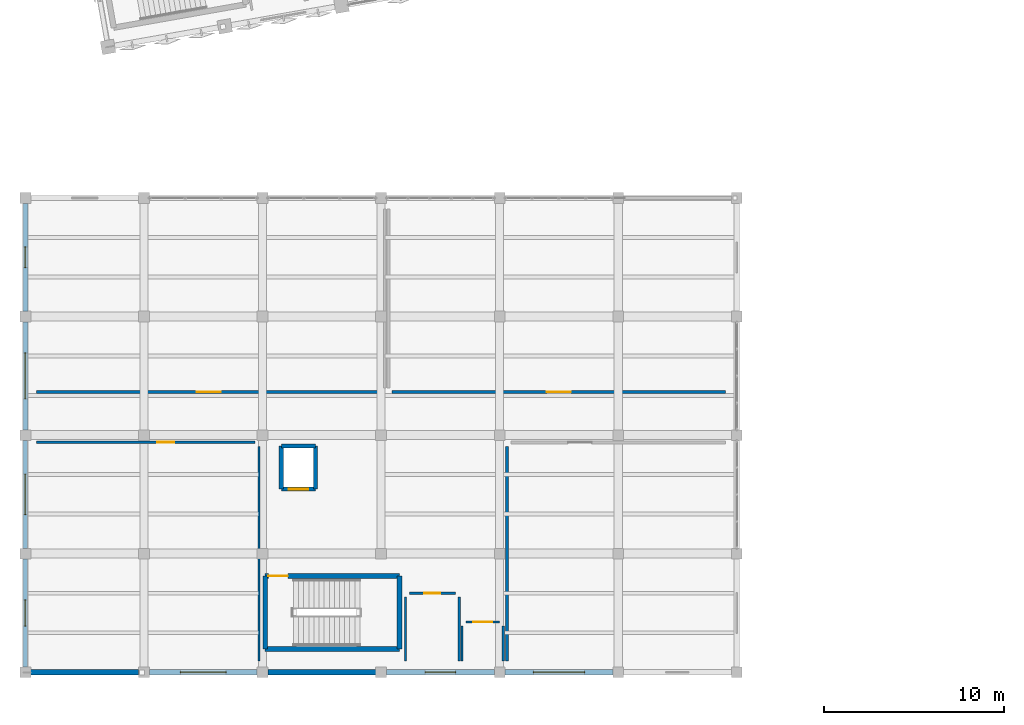
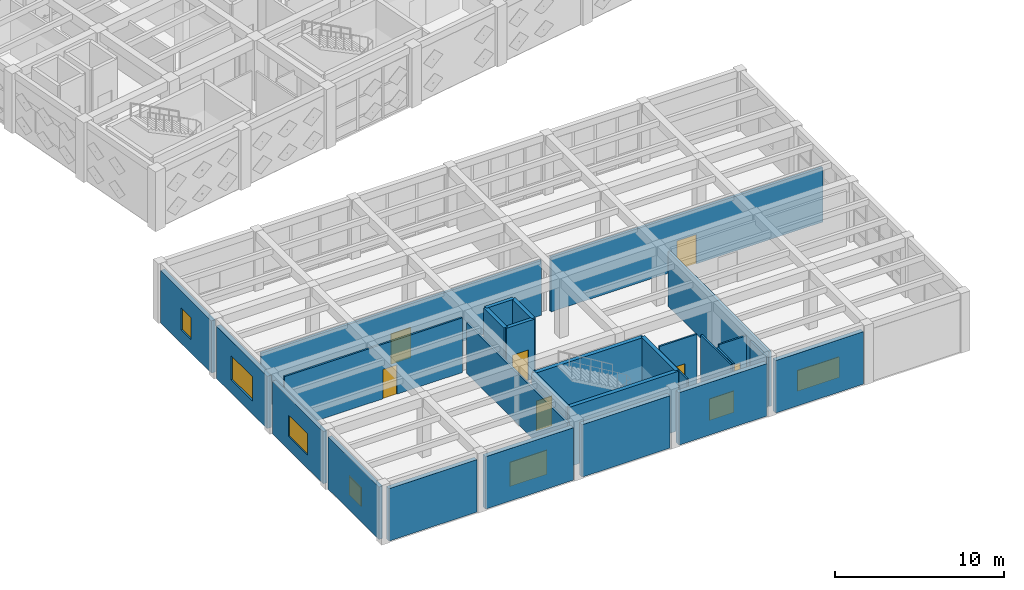
# One storey, part 65 of 80: 28 walls, 7 doors, 7 windows, 14 openings.
"""IFC4 building model written with IfcOpenShell, lengths in metres."""

from ifc_helpers import new_model, si_unit, direction, frame, frame_2d, origin, place, context, subcontext, project, spatial, rectangle, extrude, material, layer, layer_set, type_object, element, fill, save


model = new_model("IFC4")

# Units and contexts
model_context = context("Model", 3, precision=1e-05, world=origin(), true_north=direction((0.0, 1.0)))
body_context = subcontext(model_context, "Body", "Model", "MODEL_VIEW")
ifc_project = project(units=[si_unit("LENGTHUNIT", "METRE"), si_unit("AREAUNIT", "SQUARE_METRE"), si_unit("VOLUMEUNIT", "CUBIC_METRE"), si_unit("PLANEANGLEUNIT", "RADIAN"), si_unit("MASSUNIT", "GRAM", prefix="KILO")], contexts=[model_context])

# Site, building, storey
site_placement = place(None, origin())
site = spatial("IfcSite", under=ifc_project, at=site_placement, CompositionType="ELEMENT")
building_placement = place(site_placement, origin())
building = spatial("IfcBuilding", under=site, at=building_placement, Name="Kharisveld Research Institute", CompositionType="ELEMENT")
storey_placement = place(building_placement, frame((0.0, 0.0, 5.10009765625)))
storey = spatial("IfcBuildingStorey", under=building, at=storey_placement, Name="L01", CompositionType="ELEMENT", Elevation=5.10009765625)

# Wall, opening, door
ifc_material_1 = material(Name="Flush Pharmaceutical Panel", Category="mineral")
ifc_layer_1 = layer(ifc_material_1, 0.155029296875)
ifc_layer_set_1 = layer_set([ifc_layer_1], Name="WL_CLN_155")
wall_type_1 = type_object("IfcWallType", Name="WL_CLN_155", PredefinedType="PARTITIONING", material=ifc_layer_set_1)
wall_1_placement = place(storey_placement, frame((1.219970703125, 15.800048828125, 0.0), z_axis=(0.0, 0.0, 1.0), x_axis=(1.0, 0.0, 0.0)))
wall_1 = element("IfcWall", 1, at=wall_1_placement, inside=storey, type_object=wall_type_1, Name="WL:RM:V3:L01:CR7:S", PredefinedType="PARTITIONING", context=body_context, shape_type="SweptSolid", body=[
    extrude(rectangle(XDim=19.159912109375, YDim=0.155029296875, at=frame_2d((9.580078125, 0.0))), origin(), (0.0, 0.0, 1.0), 3.949951171875),
])
opening_1_placement = place(wall_1_placement, frame((8.909912109375, 0.0, 0.0)))
opening_1 = element("IfcOpeningElement", 2, at=opening_1_placement, cuts=wall_1, Name="Opening DI-278", PredefinedType="OPENING", context=body_context, shape_type="SweptSolid", body=[
    extrude(rectangle(XDim=1.340087890625, YDim=2.199951171875, at=frame_2d((0.669921875, 1.10009765625))), frame((0.0, 0.07763671875, 0.0), z_axis=(0.0, -1.0, 0.0), x_axis=(1.0, 0.0, 0.0)), (0.0, 0.0, 1.0), 0.155029296875),
])
ifc_material_2 = material(Name="Flush Painted Hardwood and Anodised Aluminium", Category="wood")
door_type_1 = type_object("IfcDoorType", Name="DR_CLN_134", OperationType="SLIDING_TO_RIGHT", PredefinedType="DOOR", material=ifc_material_2)
door_1_placement = place(opening_1_placement, origin())
door_1 = element("IfcDoor", 3, at=door_1_placement, inside=storey, type_object=door_type_1, Name="DR:RM:V3:L01:CR7:S", OperationType="SLIDING_TO_RIGHT", OverallHeight=2.199951171875, OverallWidth=1.340087890625, PredefinedType="DOOR", context=body_context, shape_type="SweptSolid", body=[
    extrude(rectangle(XDim=1.340087890625, YDim=2.199951171875, at=frame_2d((0.669921875, 1.10009765625))), frame((0.0, 0.02490234375, 0.0), z_axis=(0.0, -1.0, 0.0), x_axis=(1.0, 0.0, 0.0)), (0.0, 0.0, 1.0), 0.050048828125),
])
fill(opening_1, door_1)

# Walls
ifc_material_3 = material(Name="Concrete C40/50", Category="concrete")
ifc_layer_2 = layer(ifc_material_3, 0.239990234375)
ifc_layer_set_2 = layer_set([ifc_layer_2], Name="WL_CORE_240")
wall_type_2 = type_object("IfcWallType", Name="WL_CORE_240", PredefinedType="SHEAR", material=ifc_layer_set_2)
wall_2_placement = place(storey_placement, frame((14.85009765625, 10.39990234375, 0.0), z_axis=(0.0, 0.0, 1.0), x_axis=(0.0, 1.0, 0.0)))
element("IfcWall", 4, at=wall_2_placement, inside=storey, type_object=wall_type_2, Name="WL:LFT:PL-03:L01:W", PredefinedType="SHEAR", context=body_context, shape_type="SweptSolid", body=[
    extrude(rectangle(XDim=2.400146484375, YDim=0.239990234375, at=frame_2d((1.2001953125, 0.0))), origin(), (0.0, 0.0, 1.0), 4.27978515625),
])
wall_3_placement = place(storey_placement, frame((14.85009765625, 12.800048828125, 0.0), z_axis=(0.0, 0.0, 1.0), x_axis=(1.0, 0.0, 0.0)))
element("IfcWall", 5, at=wall_3_placement, inside=storey, type_object=wall_type_2, Name="WL:LFT:PL-03:L01:N", PredefinedType="SHEAR", context=body_context, shape_type="SweptSolid", body=[
    extrude(rectangle(XDim=1.89990234375, YDim=0.239990234375, at=frame_2d((0.949951171875, 0.0))), origin(), (0.0, 0.0, 1.0), 4.27978515625),
])
wall_4_placement = place(storey_placement, frame((16.75, 12.800048828125, 0.0), z_axis=(0.0, 0.0, 1.0), x_axis=(0.0, -1.0, 0.0)))
element("IfcWall", 6, at=wall_4_placement, inside=storey, type_object=wall_type_2, Name="WL:LFT:PL-03:L01:E", PredefinedType="SHEAR", context=body_context, shape_type="SweptSolid", body=[
    extrude(rectangle(XDim=2.400146484375, YDim=0.239990234375, at=frame_2d((1.2001953125, 0.0))), origin(), (0.0, 0.0, 1.0), 4.27978515625),
])

# Wall, opening, door
wall_5_placement = place(storey_placement, frame((16.75, 10.39990234375, 0.0), z_axis=(0.0, 0.0, 1.0), x_axis=(-1.0, 0.0, 0.0)))
wall_5 = element("IfcWall", 7, at=wall_5_placement, inside=storey, type_object=wall_type_2, Name="WL:LFT:PL-03:L01:S", PredefinedType="SHEAR", context=body_context, shape_type="SweptSolid", body=[
    extrude(rectangle(XDim=1.89990234375, YDim=0.239990234375, at=frame_2d((0.949951171875, 0.0))), origin(), (0.0, 0.0, 1.0), 4.27978515625),
])
opening_2_placement = place(wall_5_placement, frame((0.39990234375, 0.0, 0.0)))
opening_2 = element("IfcOpeningElement", 8, at=opening_2_placement, cuts=wall_5, Name="Opening LD-01", PredefinedType="OPENING", context=body_context, shape_type="SweptSolid", body=[
    extrude(rectangle(XDim=1.10009765625, YDim=2.199951171875, at=frame_2d((0.550048828125, 1.10009765625))), frame((0.0, 0.1201171875, 0.0), z_axis=(0.0, -1.0, 0.0), x_axis=(1.0, 0.0, 0.0)), (0.0, 0.0, 1.0), 0.239990234375),
])
ifc_material_4 = material(Name="Flush Painted Hardwood and Anodised Aluminium", Category="wood")
door_type_2 = type_object("IfcDoorType", Name="DR_LFT_110", OperationType="SLIDING_TO_LEFT", PredefinedType="DOOR", material=ifc_material_4)
door_2_placement = place(opening_2_placement, origin())
door_2 = element("IfcDoor", 9, at=door_2_placement, inside=storey, type_object=door_type_2, Name="PL-03 Lift Landing Door L01", OperationType="SLIDING_TO_LEFT", OverallHeight=2.199951171875, OverallWidth=1.10009765625, PredefinedType="DOOR", context=body_context, shape_type="SweptSolid", body=[
    extrude(rectangle(XDim=1.10009765625, YDim=2.199951171875, at=frame_2d((0.550048828125, 1.10009765625))), frame((0.0, 0.02490234375, 0.0), z_axis=(0.0, -1.0, 0.0), x_axis=(1.0, 0.0, 0.0)), (0.0, 0.0, 1.0), 0.050048828125),
])
fill(opening_2, door_2)

# Wall
ifc_material_5 = material(Name="Concrete C40/50", Category="concrete")
ifc_layer_3 = layer(ifc_material_5, 0.27001953125)
ifc_layer_set_3 = layer_set([ifc_layer_3], Name="WL_CORE_270")
wall_type_3 = type_object("IfcWallType", Name="WL_CORE_270", PredefinedType="SHEAR", material=ifc_layer_set_3)
wall_6_placement = place(storey_placement, frame((13.949951171875, 1.5, 0.0), z_axis=(0.0, 0.0, 1.0), x_axis=(0.0, 1.0, 0.0)))
element("IfcWall", 10, at=wall_6_placement, inside=storey, type_object=wall_type_3, Name="WL:STR:ST4:L01:W", PredefinedType="SHEAR", context=body_context, shape_type="SweptSolid", body=[
    extrude(rectangle(XDim=4.06005859375, YDim=0.27001953125, at=frame_2d((2.030029296875, 0.0))), origin(), (0.0, 0.0, 1.0), 4.27978515625),
])

# Wall, opening, door
wall_7_placement = place(storey_placement, frame((13.949951171875, 5.56005859375, 0.0), z_axis=(0.0, 0.0, 1.0), x_axis=(1.0, 0.0, 0.0)))
wall_7 = element("IfcWall", 11, at=wall_7_placement, inside=storey, type_object=wall_type_3, Name="WL:STR:ST4:L01:N", PredefinedType="SHEAR", context=body_context, shape_type="SweptSolid", body=[
    extrude(rectangle(XDim=7.469970703125, YDim=0.27001953125, at=frame_2d((3.73486328125, 0.0))), origin(), (0.0, 0.0, 1.0), 4.27978515625),
])
opening_3_placement = place(wall_7_placement, frame((0.179931640625, 0.0, 0.0)))
opening_3 = element("IfcOpeningElement", 12, at=opening_3_placement, cuts=wall_7, Name="Opening DS-038", PredefinedType="OPENING", context=body_context, shape_type="SweptSolid", body=[
    extrude(rectangle(XDim=1.080078125, YDim=2.14990234375, at=frame_2d((0.5400390625, 1.074951171875))), frame((0.0, 0.135009765625, 0.0), z_axis=(0.0, -1.0, 0.0), x_axis=(1.0, 0.0, 0.0)), (0.0, 0.0, 1.0), 0.27001953125),
])
ifc_material_6 = material(Name="Flush Painted Hardwood and Anodised Aluminium", Category="wood")
door_type_3 = type_object("IfcDoorType", Name="DR_FD60_108", OperationType="NOTDEFINED", PredefinedType="DOOR", material=ifc_material_6)
door_3_placement = place(opening_3_placement, origin())
door_3 = element("IfcDoor", 13, at=door_3_placement, inside=storey, type_object=door_type_3, Name="DR:STR:ST4:L01", OperationType="SINGLE_SWING_RIGHT", OverallHeight=2.14990234375, OverallWidth=1.080078125, PredefinedType="DOOR", context=body_context, shape_type="SweptSolid", body=[
    extrude(rectangle(XDim=1.080078125, YDim=2.14990234375, at=frame_2d((0.5400390625, 1.074951171875))), frame((0.0, 0.02490234375, 0.0), z_axis=(0.0, -1.0, 0.0), x_axis=(1.0, 0.0, 0.0)), (0.0, 0.0, 1.0), 0.050048828125),
])
fill(opening_3, door_3)

# Walls
wall_8_placement = place(storey_placement, frame((21.419921875, 5.56005859375, 0.0), z_axis=(0.0, 0.0, 1.0), x_axis=(0.0, -1.0, 0.0)))
element("IfcWall", 14, at=wall_8_placement, inside=storey, type_object=wall_type_3, Name="WL:STR:ST4:L01:E", PredefinedType="SHEAR", context=body_context, shape_type="SweptSolid", body=[
    extrude(rectangle(XDim=4.06005859375, YDim=0.27001953125, at=frame_2d((2.030029296875, 0.0))), origin(), (0.0, 0.0, 1.0), 4.27978515625),
])
wall_9_placement = place(storey_placement, frame((21.419921875, 1.5, 0.0), z_axis=(0.0, 0.0, 1.0), x_axis=(-1.0, 0.0, 0.0)))
element("IfcWall", 15, at=wall_9_placement, inside=storey, type_object=wall_type_3, Name="WL:STR:ST4:L01:S", PredefinedType="SHEAR", context=body_context, shape_type="SweptSolid", body=[
    extrude(rectangle(XDim=7.469970703125, YDim=0.27001953125, at=frame_2d((3.73486328125, 0.0))), origin(), (0.0, 0.0, 1.0), 4.27978515625),
])

# Wall, opening, window
ifc_material_7 = material(Name="Lightweight Acoustic Spandrel", Category="mineral")
ifc_layer_4 = layer(ifc_material_7, 0.2451171875)
ifc_layer_set_4 = layer_set([ifc_layer_4], Name="WL_EXT_245")
wall_type_4 = type_object("IfcWallType", Name="WL_EXT_245", PredefinedType="STANDARD", material=ifc_layer_set_4)
wall_10_placement = place(storey_placement, frame((0.60009765625, 7.094970703125, 0.0), z_axis=(0.0, 0.0, 1.0), x_axis=(0.0, 1.0, 0.0)))
wall_10 = element("IfcWall", 16, at=wall_10_placement, inside=storey, type_object=wall_type_4, Name="WL:V3:L01:W1", PredefinedType="STANDARD", context=body_context, shape_type="SweptSolid", body=[
    extrude(rectangle(XDim=6.010009765625, YDim=0.2451171875, at=frame_2d((3.0048828125, 0.0))), origin(), (0.0, 0.0, 1.0), 3.784912109375),
])
opening_4_placement = place(wall_10_placement, frame((1.8798828125, 0.0, 0.949951171875)))
opening_4 = element("IfcOpeningElement", 17, at=opening_4_placement, cuts=wall_10, Name="Opening WN-14", PredefinedType="OPENING", context=body_context, shape_type="SweptSolid", body=[
    extrude(rectangle(XDim=2.25, YDim=1.550048828125, at=frame_2d((1.125, 0.77490234375))), frame((0.0, 0.12255859375, 0.0), z_axis=(0.0, -1.0, 0.0), x_axis=(1.0, 0.0, 0.0)), (0.0, 0.0, 1.0), 0.2451171875),
])
ifc_material_8 = material(Name="Low-E Double Glazing", Category="glass")
window_type_1 = type_object("IfcWindowType", Name="WN_14", PartitioningType="DOUBLE_PANEL_VERTICAL", PredefinedType="WINDOW", material=ifc_material_8)
window_1_placement = place(opening_4_placement, origin())
window_1 = element("IfcWindow", 18, at=window_1_placement, inside=storey, type_object=window_type_1, Name="WN:V3:L01:W1", OverallHeight=1.550048828125, OverallWidth=2.25, PartitioningType="SINGLE_PANEL", PredefinedType="WINDOW", context=body_context, shape_type="SweptSolid", body=[
    extrude(rectangle(XDim=2.25, YDim=1.550048828125, at=frame_2d((1.125, 0.77490234375))), frame((0.0, 0.030029296875, 0.0), z_axis=(0.0, -1.0, 0.0), x_axis=(1.0, 0.0, 0.0)), (0.0, 0.0, 1.0), 0.06005859375),
])
fill(opening_4, window_1)

ifc_material_9 = material(Name="Precast Concrete C40/50 Thermal Wall", Category="concrete")
ifc_layer_5 = layer(ifc_material_9, 0.260009765625)
ifc_layer_set_5 = layer_set([ifc_layer_5], Name="WL_EXT_260")
wall_type_5 = type_object("IfcWallType", Name="WL_EXT_260", PredefinedType="STANDARD", material=ifc_layer_set_5)
wall_11_placement = place(storey_placement, frame((0.60009765625, 0.4951171875, 0.0), z_axis=(0.0, 0.0, 1.0), x_axis=(0.0, 1.0, 0.0)))
wall_11 = element("IfcWall", 19, at=wall_11_placement, inside=storey, type_object=wall_type_5, Name="WL:V3:L01:W0", PredefinedType="STANDARD", context=body_context, shape_type="SweptSolid", body=[
    extrude(rectangle(XDim=6.009765625, YDim=0.260009765625, at=frame_2d((3.0048828125, 0.0))), origin(), (0.0, 0.0, 1.0), 3.784912109375),
])
opening_5_placement = place(wall_11_placement, frame((2.280029296875, 0.0, 0.949951171875)))
opening_5 = element("IfcOpeningElement", 20, at=opening_5_placement, cuts=wall_11, Name="Opening WN-13", PredefinedType="OPENING", context=body_context, shape_type="SweptSolid", body=[
    extrude(rectangle(XDim=1.449951171875, YDim=1.35009765625, at=frame_2d((0.72509765625, 0.675048828125))), frame((0.0, 0.1298828125, 0.0), z_axis=(0.0, -1.0, 0.0), x_axis=(1.0, 0.0, 0.0)), (0.0, 0.0, 1.0), 0.260009765625),
])
ifc_material_10 = material(Name="Low-E Double Glazing", Category="glass")
window_type_2 = type_object("IfcWindowType", Name="WN_13", PartitioningType="DOUBLE_PANEL_VERTICAL", PredefinedType="WINDOW", material=ifc_material_10)
window_2_placement = place(opening_5_placement, origin())
window_2 = element("IfcWindow", 21, at=window_2_placement, inside=storey, type_object=window_type_2, Name="WN:V3:L01:W0", OverallHeight=1.35009765625, OverallWidth=1.449951171875, PartitioningType="SINGLE_PANEL", PredefinedType="WINDOW", context=body_context, shape_type="SweptSolid", body=[
    extrude(rectangle(XDim=1.449951171875, YDim=1.35009765625, at=frame_2d((0.72509765625, 0.675048828125))), frame((0.0, 0.030029296875, 0.0), z_axis=(0.0, -1.0, 0.0), x_axis=(1.0, 0.0, 0.0)), (0.0, 0.0, 1.0), 0.06005859375),
])
fill(opening_5, window_2)

ifc_material_11 = material(Name="Precast Concrete C40/50 Thermal Wall", Category="concrete")
ifc_layer_6 = layer(ifc_material_11, 0.27490234375)
ifc_layer_set_6 = layer_set([ifc_layer_6], Name="WL_EXT_275")
wall_type_6 = type_object("IfcWallType", Name="WL_EXT_275", PredefinedType="STANDARD", material=ifc_layer_set_6)
wall_12_placement = place(storey_placement, frame((0.60009765625, 20.294921875, 0.0), z_axis=(0.0, 0.0, 1.0), x_axis=(0.0, 1.0, 0.0)))
wall_12 = element("IfcWall", 22, at=wall_12_placement, inside=storey, type_object=wall_type_6, Name="WL:V3:L01:W3", PredefinedType="STANDARD", context=body_context, shape_type="SweptSolid", body=[
    extrude(rectangle(XDim=6.010009765625, YDim=0.27490234375, at=frame_2d((3.0048828125, 0.0))), origin(), (0.0, 0.0, 1.0), 3.784912109375),
])
opening_6_placement = place(wall_12_placement, frame((2.429931640625, 0.0, 0.949951171875)))
opening_6 = element("IfcOpeningElement", 23, at=opening_6_placement, cuts=wall_12, Name="Opening WN-16", PredefinedType="OPENING", context=body_context, shape_type="SweptSolid", body=[
    extrude(rectangle(XDim=1.14990234375, YDim=1.60009765625, at=frame_2d((0.574951171875, 0.800048828125))), frame((0.0, 0.137451171875, 0.0), z_axis=(0.0, -1.0, 0.0), x_axis=(1.0, 0.0, 0.0)), (0.0, 0.0, 1.0), 0.27490234375),
])
ifc_material_12 = material(Name="Low-E Double Glazing", Category="glass")
window_type_3 = type_object("IfcWindowType", Name="WN_16", PartitioningType="SINGLE_PANEL", PredefinedType="WINDOW", material=ifc_material_12)
window_3_placement = place(opening_6_placement, origin())
window_3 = element("IfcWindow", 24, at=window_3_placement, inside=storey, type_object=window_type_3, Name="WN:V3:L01:W3", OverallHeight=1.60009765625, OverallWidth=1.14990234375, PartitioningType="SINGLE_PANEL", PredefinedType="WINDOW", context=body_context, shape_type="SweptSolid", body=[
    extrude(rectangle(XDim=1.14990234375, YDim=1.60009765625, at=frame_2d((0.574951171875, 0.800048828125))), frame((0.0, 0.030029296875, 0.0), z_axis=(0.0, -1.0, 0.0), x_axis=(1.0, 0.0, 0.0)), (0.0, 0.0, 1.0), 0.06005859375),
])
fill(opening_6, window_3)

ifc_material_13 = material(Name="Precast Concrete C40/50 Thermal Wall", Category="concrete")
ifc_layer_7 = layer(ifc_material_13, 0.2900390625)
ifc_layer_set_7 = layer_set([ifc_layer_7], Name="WL_EXT_290")
wall_type_7 = type_object("IfcWallType", Name="WL_EXT_290", PredefinedType="STANDARD", material=ifc_layer_set_7)
wall_13_placement = place(storey_placement, frame((0.60009765625, 13.695068359375, 0.0), z_axis=(0.0, 0.0, 1.0), x_axis=(0.0, 1.0, 0.0)))
wall_13 = element("IfcWall", 25, at=wall_13_placement, inside=storey, type_object=wall_type_7, Name="WL:V3:L01:W2", PredefinedType="STANDARD", context=body_context, shape_type="SweptSolid", body=[
    extrude(rectangle(XDim=6.010009765625, YDim=0.2900390625, at=frame_2d((3.0048828125, 0.0))), origin(), (0.0, 0.0, 1.0), 3.784912109375),
])
opening_7_placement = place(wall_13_placement, frame((1.72998046875, 0.0, 0.949951171875)))
opening_7 = element("IfcOpeningElement", 26, at=opening_7_placement, cuts=wall_13, Name="Opening WN-15", PredefinedType="OPENING", context=body_context, shape_type="SweptSolid", body=[
    extrude(rectangle(XDim=2.550048828125, YDim=1.75, at=frame_2d((1.27490234375, 0.875))), frame((0.0, 0.14501953125, 0.0), z_axis=(0.0, -1.0, 0.0), x_axis=(1.0, 0.0, 0.0)), (0.0, 0.0, 1.0), 0.2900390625),
])
ifc_material_14 = material(Name="Low-E Double Glazing", Category="glass")
window_type_4 = type_object("IfcWindowType", Name="WN_15", PartitioningType="TRIPLE_PANEL_VERTICAL", PredefinedType="WINDOW", material=ifc_material_14)
window_4_placement = place(opening_7_placement, origin())
window_4 = element("IfcWindow", 27, at=window_4_placement, inside=storey, type_object=window_type_4, Name="WN:V3:L01:W2", OverallHeight=1.75, OverallWidth=2.550048828125, PartitioningType="SINGLE_PANEL", PredefinedType="WINDOW", context=body_context, shape_type="SweptSolid", body=[
    extrude(rectangle(XDim=2.550048828125, YDim=1.75, at=frame_2d((1.27490234375, 0.875))), frame((0.0, 0.030029296875, 0.0), z_axis=(0.0, -1.0, 0.0), x_axis=(1.0, 0.0, 0.0)), (0.0, 0.0, 1.0), 0.06005859375),
])
fill(opening_7, window_4)

ifc_material_15 = material(Name="Precast Concrete C40/50 Ochre Panel", Category="concrete")
ifc_layer_8 = layer(ifc_material_15, 0.304931640625)
ifc_layer_set_8 = layer_set([ifc_layer_8], Name="WL_EXT_305")
wall_type_8 = type_object("IfcWallType", Name="WL_EXT_305", PredefinedType="STANDARD", material=ifc_layer_set_8)
wall_14_placement = place(storey_placement, frame((33.304931640625, 0.199951171875, 0.0), z_axis=(0.0, 0.0, 1.0), x_axis=(-1.0, 0.0, 0.0)))
wall_14 = element("IfcWall", 28, at=wall_14_placement, inside=storey, type_object=wall_type_8, Name="WL:V3:L01:S5", PredefinedType="STANDARD", context=body_context, shape_type="SweptSolid", body=[
    extrude(rectangle(XDim=6.010009765625, YDim=0.304931640625, at=frame_2d((3.0048828125, 0.0))), origin(), (0.0, 0.0, 1.0), 3.784912109375),
])
opening_8_placement = place(wall_14_placement, frame((1.580078125, 0.0, 0.949951171875)))
opening_8 = element("IfcOpeningElement", 29, at=opening_8_placement, cuts=wall_14, Name="Opening WN-18", PredefinedType="OPENING", context=body_context, shape_type="SweptSolid", body=[
    extrude(rectangle(XDim=2.85009765625, YDim=1.5, at=frame_2d((1.425048828125, 0.75))), frame((0.0, 0.15234375, 0.0), z_axis=(0.0, -1.0, 0.0), x_axis=(1.0, 0.0, 0.0)), (0.0, 0.0, 1.0), 0.304931640625),
])
ifc_material_16 = material(Name="Low-E Double Glazing", Category="glass")
window_type_5 = type_object("IfcWindowType", Name="WN_18", PartitioningType="TRIPLE_PANEL_VERTICAL", PredefinedType="WINDOW", material=ifc_material_16)
window_5_placement = place(opening_8_placement, origin())
window_5 = element("IfcWindow", 30, at=window_5_placement, inside=storey, type_object=window_type_5, Name="WN:V3:L01:S5", OverallHeight=1.5, OverallWidth=2.85009765625, PartitioningType="SINGLE_PANEL", PredefinedType="WINDOW", context=body_context, shape_type="SweptSolid", body=[
    extrude(rectangle(XDim=2.85009765625, YDim=1.5, at=frame_2d((1.425048828125, 0.75))), frame((0.0, 0.030029296875, 0.0), z_axis=(0.0, -1.0, 0.0), x_axis=(1.0, 0.0, 0.0)), (0.0, 0.0, 1.0), 0.06005859375),
])
fill(opening_8, window_5)

wall_15_placement = place(storey_placement, frame((26.705078125, 0.199951171875, 0.0), z_axis=(0.0, 0.0, 1.0), x_axis=(-1.0, 0.0, 0.0)))
wall_15 = element("IfcWall", 31, at=wall_15_placement, inside=storey, type_object=wall_type_8, Name="WL:V3:L01:S4", PredefinedType="STANDARD", context=body_context, shape_type="SweptSolid", body=[
    extrude(rectangle(XDim=6.010009765625, YDim=0.304931640625, at=frame_2d((3.0048828125, 0.0))), origin(), (0.0, 0.0, 1.0), 3.784912109375),
])
opening_9_placement = place(wall_15_placement, frame((2.155029296875, 0.0, 0.949951171875)))
opening_9 = element("IfcOpeningElement", 32, at=opening_9_placement, cuts=wall_15, Name="Opening WN-17", PredefinedType="OPENING", context=body_context, shape_type="SweptSolid", body=[
    extrude(rectangle(XDim=1.699951171875, YDim=1.550048828125, at=frame_2d((0.85009765625, 0.77490234375))), frame((0.0, 0.15234375, 0.0), z_axis=(0.0, -1.0, 0.0), x_axis=(1.0, 0.0, 0.0)), (0.0, 0.0, 1.0), 0.304931640625),
])
ifc_material_17 = material(Name="Low-E Double Glazing", Category="glass")
window_type_6 = type_object("IfcWindowType", Name="WN_17", PartitioningType="DOUBLE_PANEL_VERTICAL", PredefinedType="WINDOW", material=ifc_material_17)
window_6_placement = place(opening_9_placement, origin())
window_6 = element("IfcWindow", 33, at=window_6_placement, inside=storey, type_object=window_type_6, Name="WN:V3:L01:S4", OverallHeight=1.550048828125, OverallWidth=1.699951171875, PartitioningType="SINGLE_PANEL", PredefinedType="WINDOW", context=body_context, shape_type="SweptSolid", body=[
    extrude(rectangle(XDim=1.699951171875, YDim=1.550048828125, at=frame_2d((0.85009765625, 0.77490234375))), frame((0.0, 0.030029296875, 0.0), z_axis=(0.0, -1.0, 0.0), x_axis=(1.0, 0.0, 0.0)), (0.0, 0.0, 1.0), 0.06005859375),
])
fill(opening_9, window_6)

# Wall
wall_16_placement = place(storey_placement, frame((20.10498046875, 0.199951171875, 0.0), z_axis=(0.0, 0.0, 1.0), x_axis=(-1.0, 0.0, 0.0)))
element("IfcWall", 34, at=wall_16_placement, inside=storey, type_object=wall_type_8, Name="WL:V3:L01:S3", PredefinedType="STANDARD", context=body_context, shape_type="SweptSolid", body=[
    extrude(rectangle(XDim=6.010009765625, YDim=0.304931640625, at=frame_2d((3.0048828125, 0.0))), origin(), (0.0, 0.0, 1.0), 3.784912109375),
])

# Wall, opening, window
wall_17_placement = place(storey_placement, frame((13.5048828125, 0.199951171875, 0.0), z_axis=(0.0, 0.0, 1.0), x_axis=(-1.0, 0.0, 0.0)))
wall_17 = element("IfcWall", 35, at=wall_17_placement, inside=storey, type_object=wall_type_8, Name="WL:V3:L01:S2", PredefinedType="STANDARD", context=body_context, shape_type="SweptSolid", body=[
    extrude(rectangle(XDim=6.009765625, YDim=0.304931640625, at=frame_2d((3.0048828125, 0.0))), origin(), (0.0, 0.0, 1.0), 3.784912109375),
])
opening_10_placement = place(wall_17_placement, frame((1.72998046875, 0.0, 0.949951171875)))
opening_10 = element("IfcOpeningElement", 36, at=opening_10_placement, cuts=wall_17, Name="Opening WN-15", PredefinedType="OPENING", context=body_context, shape_type="SweptSolid", body=[
    extrude(rectangle(XDim=2.550048828125, YDim=1.75, at=frame_2d((1.27490234375, 0.875))), frame((0.0, 0.15234375, 0.0), z_axis=(0.0, -1.0, 0.0), x_axis=(1.0, 0.0, 0.0)), (0.0, 0.0, 1.0), 0.304931640625),
])
window_7_placement = place(opening_10_placement, origin())
window_7 = element("IfcWindow", 37, at=window_7_placement, inside=storey, type_object=window_type_4, Name="WN:V3:L01:S2", OverallHeight=1.75, OverallWidth=2.550048828125, PartitioningType="SINGLE_PANEL", PredefinedType="WINDOW", context=body_context, shape_type="SweptSolid", body=[
    extrude(rectangle(XDim=2.550048828125, YDim=1.75, at=frame_2d((1.27490234375, 0.875))), frame((0.0, 0.030029296875, 0.0), z_axis=(0.0, -1.0, 0.0), x_axis=(1.0, 0.0, 0.0)), (0.0, 0.0, 1.0), 0.06005859375),
])
fill(opening_10, window_7)

# Wall
wall_18_placement = place(storey_placement, frame((6.905029296875, 0.199951171875, 0.0), z_axis=(0.0, 0.0, 1.0), x_axis=(-1.0, 0.0, 0.0)))
element("IfcWall", 38, at=wall_18_placement, inside=storey, type_object=wall_type_8, Name="WL:V3:L01:S1", PredefinedType="STANDARD", context=body_context, shape_type="SweptSolid", body=[
    extrude(rectangle(XDim=6.010009765625, YDim=0.304931640625, at=frame_2d((3.0048828125, 0.0))), origin(), (0.0, 0.0, 1.0), 3.784912109375),
])

# Wall, opening, door
ifc_material_18 = material(Name="Acoustic Drywall Partition", Category="mineral")
ifc_layer_9 = layer(ifc_material_18, 0.1650390625)
ifc_layer_set_9 = layer_set([ifc_layer_9], Name="WL_LAB_165")
wall_type_9 = type_object("IfcWallType", Name="WL_LAB_165", PredefinedType="PARTITIONING", material=ifc_layer_set_9)
wall_19_placement = place(storey_placement, frame((21.02001953125, 15.800048828125, 0.0), z_axis=(0.0, 0.0, 1.0), x_axis=(1.0, 0.0, 0.0)))
wall_19 = element("IfcWall", 39, at=wall_19_placement, inside=storey, type_object=wall_type_9, Name="WL:RM:V3:L01:MTR:S", PredefinedType="PARTITIONING", context=body_context, shape_type="SweptSolid", body=[
    extrude(rectangle(XDim=18.56005859375, YDim=0.1650390625, at=frame_2d((9.280029296875, 0.0))), origin(), (0.0, 0.0, 1.0), 3.949951171875),
])
opening_11_placement = place(wall_19_placement, frame((8.614990234375, 0.0, 0.0)))
opening_11 = element("IfcOpeningElement", 40, at=opening_11_placement, cuts=wall_19, Name="Opening DI-279", PredefinedType="OPENING", context=body_context, shape_type="SweptSolid", body=[
    extrude(rectangle(XDim=1.330078125, YDim=2.1201171875, at=frame_2d((0.6650390625, 1.06005859375))), frame((0.0, 0.08251953125, 0.0), z_axis=(0.0, -1.0, 0.0), x_axis=(1.0, 0.0, 0.0)), (0.0, 0.0, 1.0), 0.1650390625),
])
ifc_material_19 = material(Name="Flush Painted Hardwood and Anodised Aluminium", Category="wood")
door_type_4 = type_object("IfcDoorType", Name="DR_VAR_15", OperationType="NOTDEFINED", PredefinedType="DOOR", material=ifc_material_19)
door_4_placement = place(opening_11_placement, origin())
door_4 = element("IfcDoor", 41, at=door_4_placement, inside=storey, type_object=door_type_4, Name="DR:RM:V3:L01:MTR:S", OperationType="SINGLE_SWING_RIGHT", OverallHeight=2.1201171875, OverallWidth=1.330078125, PredefinedType="DOOR", context=body_context, shape_type="SweptSolid", body=[
    extrude(rectangle(XDim=1.330078125, YDim=2.1201171875, at=frame_2d((0.6650390625, 1.06005859375))), frame((0.0, 0.02490234375, 0.0), z_axis=(0.0, -1.0, 0.0), x_axis=(1.0, 0.0, 0.0)), (0.0, 0.0, 1.0), 0.050048828125),
])
fill(opening_11, door_4)

# Walls
wall_20_placement = place(storey_placement, frame((27.39990234375, 12.780029296875, 0.0), z_axis=(0.0, 0.0, 1.0), x_axis=(0.0, -1.0, 0.0)))
element("IfcWall", 42, at=wall_20_placement, inside=storey, type_object=wall_type_9, Name="WL:RM:V3:L01:SEM:W", PredefinedType="PARTITIONING", context=body_context, shape_type="SweptSolid", body=[
    extrude(rectangle(XDim=11.9599609375, YDim=0.1650390625, at=frame_2d((5.97998046875, 0.0))), origin(), (0.0, 0.0, 1.0), 3.949951171875),
])
ifc_material_20 = material(Name="Insulated Stud Partition", Category="mineral")
ifc_layer_10 = layer(ifc_material_20, 0.125)
ifc_layer_set_10 = layer_set([ifc_layer_10], Name="WL_OFF_125")
wall_type_10 = type_object("IfcWallType", Name="WL_OFF_125", PredefinedType="PARTITIONING", material=ifc_layer_set_10)
wall_21_placement = place(storey_placement, frame((13.60009765625, 0.820068359375, 0.0), z_axis=(0.0, 0.0, 1.0), x_axis=(0.0, 1.0, 0.0)))
element("IfcWall", 43, at=wall_21_placement, inside=storey, type_object=wall_type_10, Name="WL:RM:V3:L01:WUC:E", PredefinedType="PARTITIONING", context=body_context, shape_type="SweptSolid", body=[
    extrude(rectangle(XDim=11.9599609375, YDim=0.125, at=frame_2d((5.97998046875, 0.0))), origin(), (0.0, 0.0, 1.0), 3.635009765625),
])

# Wall, opening, door
wall_22_placement = place(storey_placement, frame((13.3798828125, 13.0, 0.0), z_axis=(0.0, 0.0, 1.0), x_axis=(-1.0, 0.0, 0.0)))
wall_22 = element("IfcWall", 44, at=wall_22_placement, inside=storey, type_object=wall_type_10, Name="WL:RM:V3:L01:WUC:N", PredefinedType="PARTITIONING", context=body_context, shape_type="SweptSolid", body=[
    extrude(rectangle(XDim=12.159912109375, YDim=0.125, at=frame_2d((6.080078125, 0.0))), origin(), (0.0, 0.0, 1.0), 3.949951171875),
])
opening_12_placement = place(wall_22_placement, frame((4.488037109375, 0.0, 0.0)))
opening_12 = element("IfcOpeningElement", 45, at=opening_12_placement, cuts=wall_22, Name="Opening DI-280", PredefinedType="OPENING", context=body_context, shape_type="SweptSolid", body=[
    extrude(rectangle(XDim=0.93994140625, YDim=2.1201171875, at=frame_2d((0.469970703125, 1.06005859375))), frame((0.0, 0.0625, 0.0), z_axis=(0.0, -1.0, 0.0), x_axis=(1.0, 0.0, 0.0)), (0.0, 0.0, 1.0), 0.125),
])
ifc_material_21 = material(Name="Flush Painted Hardwood and Anodised Aluminium", Category="wood")
door_type_5 = type_object("IfcDoorType", Name="DR_OFF_094", OperationType="NOTDEFINED", PredefinedType="DOOR", material=ifc_material_21)
door_5_placement = place(opening_12_placement, origin())
door_5 = element("IfcDoor", 46, at=door_5_placement, inside=storey, type_object=door_type_5, Name="DR:RM:V3:L01:WUC:N", OperationType="SINGLE_SWING_LEFT", OverallHeight=2.1201171875, OverallWidth=0.93994140625, PredefinedType="DOOR", context=body_context, shape_type="SweptSolid", body=[
    extrude(rectangle(XDim=0.93994140625, YDim=2.1201171875, at=frame_2d((0.469970703125, 1.06005859375))), frame((0.0, 0.02490234375, 0.0), z_axis=(0.0, -1.0, 0.0), x_axis=(1.0, 0.0, 0.0)), (0.0, 0.0, 1.0), 0.050048828125),
])
fill(opening_12, door_5)

# Wall
ifc_material_22 = material(Name="Moisture-Resistant Partition", Category="mineral")
ifc_layer_11 = layer(ifc_material_22, 0.114990234375)
ifc_layer_set_11 = layer_set([ifc_layer_11], Name="WL_WC_115")
wall_type_11 = type_object("IfcWallType", Name="WL_WC_115", PredefinedType="PARTITIONING", material=ifc_layer_set_11)
wall_23_placement = place(storey_placement, frame((24.75, 0.820068359375, 0.0), z_axis=(0.0, 0.0, 1.0), x_axis=(0.0, 1.0, 0.0)))
element("IfcWall", 47, at=wall_23_placement, inside=storey, type_object=wall_type_11, Name="WL:RM:V3:L01:WCM:E", PredefinedType="PARTITIONING", context=body_context, shape_type="SweptSolid", body=[
    extrude(rectangle(XDim=3.559814453125, YDim=0.114990234375, at=frame_2d((1.77978515625, 0.0))), origin(), (0.0, 0.0, 1.0), 3.949951171875),
])

# Wall, opening, door
wall_24_placement = place(storey_placement, frame((24.530029296875, 4.60009765625, 0.0), z_axis=(0.0, 0.0, 1.0), x_axis=(-1.0, 0.0, 0.0)))
wall_24 = element("IfcWall", 48, at=wall_24_placement, inside=storey, type_object=wall_type_11, Name="WL:RM:V3:L01:WCM:N", PredefinedType="PARTITIONING", context=body_context, shape_type="SweptSolid", body=[
    extrude(rectangle(XDim=2.56005859375, YDim=0.114990234375, at=frame_2d((1.280029296875, 0.0))), origin(), (0.0, 0.0, 1.0), 3.949951171875),
])
opening_13_placement = place(wall_24_placement, frame((0.830078125, 0.0, 0.0)))
opening_13 = element("IfcOpeningElement", 49, at=opening_13_placement, cuts=wall_24, Name="Opening DI-276", PredefinedType="OPENING", context=body_context, shape_type="SweptSolid", body=[
    extrude(rectangle(XDim=0.89990234375, YDim=2.10009765625, at=frame_2d((0.449951171875, 1.050048828125))), frame((0.0, 0.0576171875, 0.0), z_axis=(0.0, -1.0, 0.0), x_axis=(1.0, 0.0, 0.0)), (0.0, 0.0, 1.0), 0.114990234375),
])
ifc_material_23 = material(Name="Flush Painted Hardwood and Anodised Aluminium", Category="wood")
door_type_6 = type_object("IfcDoorType", Name="DR_WC_090", OperationType="NOTDEFINED", PredefinedType="DOOR", material=ifc_material_23)
door_6_placement = place(opening_13_placement, origin())
door_6 = element("IfcDoor", 50, at=door_6_placement, inside=storey, type_object=door_type_6, Name="DR:RM:V3:L01:WCM:N", OperationType="SINGLE_SWING_RIGHT", OverallHeight=2.10009765625, OverallWidth=0.89990234375, PredefinedType="DOOR", context=body_context, shape_type="SweptSolid", body=[
    extrude(rectangle(XDim=0.89990234375, YDim=2.10009765625, at=frame_2d((0.449951171875, 1.050048828125))), frame((0.0, 0.02490234375, 0.0), z_axis=(0.0, -1.0, 0.0), x_axis=(1.0, 0.0, 0.0)), (0.0, 0.0, 1.0), 0.050048828125),
])
fill(opening_13, door_6)

# Walls
wall_25_placement = place(storey_placement, frame((21.75, 4.3798828125, 0.0), z_axis=(0.0, 0.0, 1.0), x_axis=(0.0, -1.0, 0.0)))
element("IfcWall", 51, at=wall_25_placement, inside=storey, type_object=wall_type_11, Name="WL:RM:V3:L01:WCM:W", PredefinedType="PARTITIONING", context=body_context, shape_type="SweptSolid", body=[
    extrude(rectangle(XDim=3.559814453125, YDim=0.114990234375, at=frame_2d((1.77978515625, 0.0))), origin(), (0.0, 0.0, 1.0), 3.949951171875),
])
wall_26_placement = place(storey_placement, frame((27.199951171875, 0.820068359375, 0.0), z_axis=(0.0, 0.0, 1.0), x_axis=(0.0, 1.0, 0.0)))
element("IfcWall", 52, at=wall_26_placement, inside=storey, type_object=wall_type_11, Name="WL:RM:V3:L01:WCA:E", PredefinedType="PARTITIONING", context=body_context, shape_type="SweptSolid", body=[
    extrude(rectangle(XDim=1.9599609375, YDim=0.114990234375, at=frame_2d((0.97998046875, 0.0))), origin(), (0.0, 0.0, 1.0), 3.635009765625),
])

# Wall, opening, door
wall_27_placement = place(storey_placement, frame((26.97998046875, 3.0, 0.0), z_axis=(0.0, 0.0, 1.0), x_axis=(-1.0, 0.0, 0.0)))
wall_27 = element("IfcWall", 53, at=wall_27_placement, inside=storey, type_object=wall_type_11, Name="WL:RM:V3:L01:WCA:N", PredefinedType="PARTITIONING", context=body_context, shape_type="SweptSolid", body=[
    extrude(rectangle(XDim=1.85986328125, YDim=0.114990234375, at=frame_2d((0.929931640625, 0.0))), origin(), (0.0, 0.0, 1.0), 3.949951171875),
])
opening_14_placement = place(wall_27_placement, frame((0.39990234375, 0.0, 0.0)))
opening_14 = element("IfcOpeningElement", 54, at=opening_14_placement, cuts=wall_27, Name="Opening DI-277", PredefinedType="OPENING", context=body_context, shape_type="SweptSolid", body=[
    extrude(rectangle(XDim=1.06005859375, YDim=2.1201171875, at=frame_2d((0.530029296875, 1.06005859375))), frame((0.0, 0.0576171875, 0.0), z_axis=(0.0, -1.0, 0.0), x_axis=(1.0, 0.0, 0.0)), (0.0, 0.0, 1.0), 0.114990234375),
])
ifc_material_24 = material(Name="Flush Painted Hardwood and Anodised Aluminium", Category="wood")
door_type_7 = type_object("IfcDoorType", Name="DR_WCA_106", OperationType="NOTDEFINED", PredefinedType="DOOR", material=ifc_material_24)
door_7_placement = place(opening_14_placement, origin())
door_7 = element("IfcDoor", 55, at=door_7_placement, inside=storey, type_object=door_type_7, Name="DR:RM:V3:L01:WCA:N", OperationType="SINGLE_SWING_LEFT", OverallHeight=2.1201171875, OverallWidth=1.06005859375, PredefinedType="DOOR", context=body_context, shape_type="SweptSolid", body=[
    extrude(rectangle(XDim=1.06005859375, YDim=2.1201171875, at=frame_2d((0.530029296875, 1.06005859375))), frame((0.0, 0.02490234375, 0.0), z_axis=(0.0, -1.0, 0.0), x_axis=(1.0, 0.0, 0.0)), (0.0, 0.0, 1.0), 0.050048828125),
])
fill(opening_14, door_7)

# Wall
wall_28_placement = place(storey_placement, frame((24.89990234375, 2.780029296875, 0.0), z_axis=(0.0, 0.0, 1.0), x_axis=(0.0, -1.0, 0.0)))
element("IfcWall", 56, at=wall_28_placement, inside=storey, type_object=wall_type_11, Name="WL:RM:V3:L01:WCA:W", PredefinedType="PARTITIONING", context=body_context, shape_type="SweptSolid", body=[
    extrude(rectangle(XDim=1.9599609375, YDim=0.114990234375, at=frame_2d((0.97998046875, 0.0))), origin(), (0.0, 0.0, 1.0), 3.949951171875),
])

save(model, "model.ifc")
